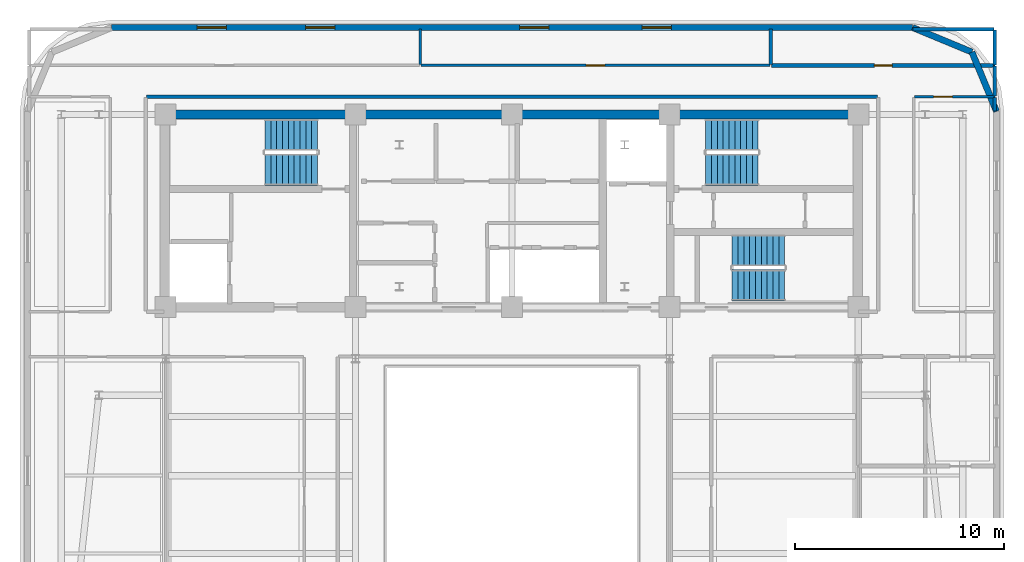
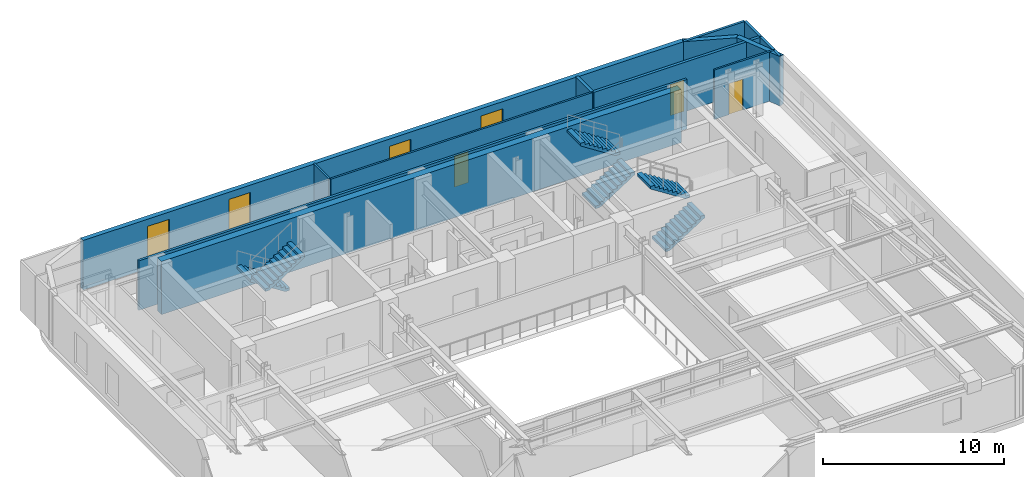
# One storey, part 9 of 13: 14 walls, 6 stair flights, 4 windows, 3 doors, 7 openings, 3 elements without a shape of their own.
"""IFC4 building model written with IfcOpenShell, lengths in metres."""

from ifc_helpers import new_model, si_unit, direction, frame, frame_2d, origin, place, context, subcontext, project, spatial, polyline, rectangle, outline, extrude, material, layer, layer_set, type_object, element, fill, aggregate, save


model = new_model("IFC4")

# Units and contexts
model_context = context("Model", 3, precision=1e-05, world=origin(), true_north=direction((0.0, 1.0)))
body_context = subcontext(model_context, "Body", "Model", "MODEL_VIEW")
ifc_project = project(units=[si_unit("LENGTHUNIT", "METRE"), si_unit("AREAUNIT", "SQUARE_METRE"), si_unit("VOLUMEUNIT", "CUBIC_METRE"), si_unit("PLANEANGLEUNIT", "RADIAN"), si_unit("MASSUNIT", "GRAM", prefix="KILO")], contexts=[model_context])

# Site, building, storey
site_placement = place(None, origin())
site = spatial("IfcSite", under=ifc_project, at=site_placement, CompositionType="ELEMENT")
building_placement = place(site_placement, origin())
building = spatial("IfcBuilding", under=site, at=building_placement, Name="Zarnavel Station Tower", CompositionType="ELEMENT")
storey_placement = place(building_placement, frame((0.0, 0.0, 232.800048828125)))
storey = spatial("IfcBuildingStorey", under=building, at=storey_placement, Name="L63", CompositionType="ELEMENT", Elevation=232.800048828125)

# Walls
ifc_material_1 = material(Name="Concrete C50/60", Category="concrete")
ifc_layer_1 = layer(ifc_material_1, 0.449951171875)
ifc_layer_set_1 = layer_set([ifc_layer_1], Name="CW_450")
wall_type_1 = type_object("IfcWallType", Name="CW_450", PredefinedType="SHEAR", material=ifc_layer_set_1)
wall_1_placement = place(storey_placement, frame((12.14990234375, 37.050048828125, 0.0), z_axis=(0.0, 0.0, 1.0), x_axis=(1.0, 0.0, 0.0)))
element("IfcWall", 1, at=wall_1_placement, inside=storey, type_object=wall_type_1, Name="L63 Rear Core Shear Wall N", PredefinedType="SHEAR", context=body_context, shape_type="SweptSolid", body=[
    extrude(rectangle(XDim=33.22998046875, YDim=0.449951171875, at=frame_2d((16.614990234375, 0.0))), origin(), (0.0, 0.0, 1.0), 3.599853515625),
])
ifc_material_2 = material(Name="Precast concrete C45/55 (Dark Basalt Finish)", Category="masonry")
ifc_layer_2 = layer(ifc_material_2, 0.300048828125)
ifc_layer_set_2 = layer_set([ifc_layer_2], Name="EW_BASALT_300")
wall_type_2 = type_object("IfcWallType", Name="EW_BASALT_300", PredefinedType="SOLIDWALL", material=ifc_layer_set_2)
for number, where, z_axis, x_axis, name in (
    (2, (50.842529296875, 40.04248046875, 0.0), (0.0, 0.0, 1.0), (0.382704529509, -0.923870793506, 0.0), "L63 Exterior Basalt Masonry Frame Wall 04"),
    (3, (48.0, 41.219970703125, 0.0), (0.0, 0.0, 1.0), (0.923870793506, -0.382704529509, 0.0), "L63 Exterior Basalt Masonry Frame Wall 05"),
):
    element("IfcWall", number, at=place(storey_placement, frame(where, z_axis=z_axis, x_axis=x_axis)), inside=storey, type_object=wall_type_2, Name=name, PredefinedType="SOLIDWALL", context=body_context, shape_type="SweptSolid", body=[
        extrude(rectangle(XDim=3.07666015625, YDim=0.300048828125, at=frame_2d((1.538330078125, 0.0))), origin(), (0.0, 0.0, 1.0), 3.33984375),
    ])

# Wall, openings, windows
wall_2_placement = place(storey_placement, frame((9.60009765625, 41.219970703125, 0.0), z_axis=(0.0, 0.0, 1.0), x_axis=(1.0, 0.0, 0.0)))
wall_2 = element("IfcWall", 4, at=wall_2_placement, inside=storey, type_object=wall_type_2, Name="L63 Exterior Basalt Masonry Frame Wall 06", PredefinedType="SOLIDWALL", context=body_context, shape_type="SweptSolid", body=[
    extrude(rectangle(XDim=38.39990234375, YDim=0.300048828125, at=frame_2d((19.199951171875, 0.0))), origin(), (0.0, 0.0, 1.0), 3.33984375),
])
opening_1_placement = place(wall_2_placement, frame((4.11328125, 0.0, 0.75)))
opening_1 = element("IfcOpeningElement", 5, at=opening_1_placement, cuts=wall_2, Name="Opening WN04", PredefinedType="OPENING", context=body_context, shape_type="SweptSolid", body=[
    extrude(rectangle(XDim=1.39990234375, YDim=2.10009765625, at=frame_2d((0.699951171875, 1.050048828125))), frame((0.0, 0.159912109375, 0.0), z_axis=(0.0, -1.0, 0.0), x_axis=(1.0, 0.0, 0.0)), (0.0, 0.0, 1.0), 0.320068359375),
])
opening_2_placement = place(wall_2_placement, frame((9.306640625, 0.0, 0.75)))
opening_2 = element("IfcOpeningElement", 6, at=opening_2_placement, cuts=wall_2, Name="Opening WN04", PredefinedType="OPENING", context=body_context, shape_type="SweptSolid", body=[
    extrude(rectangle(XDim=1.39990234375, YDim=2.10009765625, at=frame_2d((0.699951171875, 1.050048828125))), frame((0.0, 0.159912109375, 0.0), z_axis=(0.0, -1.0, 0.0), x_axis=(1.0, 0.0, 0.0)), (0.0, 0.0, 1.0), 0.320068359375),
])
opening_3_placement = place(wall_2_placement, frame((19.566650390625, 0.0, 0.75)))
opening_3 = element("IfcOpeningElement", 7, at=opening_3_placement, cuts=wall_2, Name="Opening WN04", PredefinedType="OPENING", context=body_context, shape_type="SweptSolid", body=[
    extrude(rectangle(XDim=1.39990234375, YDim=2.10009765625, at=frame_2d((0.699951171875, 1.050048828125))), frame((0.0, 0.159912109375, 0.0), z_axis=(0.0, -1.0, 0.0), x_axis=(1.0, 0.0, 0.0)), (0.0, 0.0, 1.0), 0.320068359375),
])
opening_4_placement = place(wall_2_placement, frame((25.433349609375, 0.0, 0.75)))
opening_4 = element("IfcOpeningElement", 8, at=opening_4_placement, cuts=wall_2, Name="Opening WN04", PredefinedType="OPENING", context=body_context, shape_type="SweptSolid", body=[
    extrude(rectangle(XDim=1.39990234375, YDim=2.10009765625, at=frame_2d((0.699951171875, 1.050048828125))), frame((0.0, 0.159912109375, 0.0), z_axis=(0.0, -1.0, 0.0), x_axis=(1.0, 0.0, 0.0)), (0.0, 0.0, 1.0), 0.320068359375),
])
ifc_material_3 = material(Name="Thermally Broken Black Aluminium and Low-E Dark Glass", Category="aluminium")
window_type = type_object("IfcWindowType", Name="WN_1400x2100", PartitioningType="DOUBLE_PANEL_VERTICAL", PredefinedType="WINDOW", material=ifc_material_3)
window_1_placement = place(opening_1_placement, origin())
window_1 = element("IfcWindow", 9, at=window_1_placement, inside=storey, type_object=window_type, Name="L63 Recessed Facade Window 01", OverallHeight=2.10009765625, OverallWidth=1.39990234375, PartitioningType="SINGLE_PANEL", PredefinedType="WINDOW", context=body_context, shape_type="SweptSolid", body=[
    extrude(rectangle(XDim=1.39990234375, YDim=2.10009765625, at=frame_2d((0.699951171875, 1.050048828125))), frame((0.0, 0.030029296875, 0.0), z_axis=(0.0, -1.0, 0.0), x_axis=(1.0, 0.0, 0.0)), (0.0, 0.0, 1.0), 0.06005859375),
])
fill(opening_1, window_1)
window_2_placement = place(opening_2_placement, origin())
window_2 = element("IfcWindow", 10, at=window_2_placement, inside=storey, type_object=window_type, Name="L63 Recessed Facade Window 02", OverallHeight=2.10009765625, OverallWidth=1.39990234375, PartitioningType="SINGLE_PANEL", PredefinedType="WINDOW", context=body_context, shape_type="SweptSolid", body=[
    extrude(rectangle(XDim=1.39990234375, YDim=2.10009765625, at=frame_2d((0.699951171875, 1.050048828125))), frame((0.0, 0.030029296875, 0.0), z_axis=(0.0, -1.0, 0.0), x_axis=(1.0, 0.0, 0.0)), (0.0, 0.0, 1.0), 0.06005859375),
])
fill(opening_2, window_2)
window_3_placement = place(opening_3_placement, origin())
window_3 = element("IfcWindow", 11, at=window_3_placement, inside=storey, type_object=window_type, Name="L63 Recessed Facade Window 03", OverallHeight=2.10009765625, OverallWidth=1.39990234375, PartitioningType="SINGLE_PANEL", PredefinedType="WINDOW", context=body_context, shape_type="SweptSolid", body=[
    extrude(rectangle(XDim=1.39990234375, YDim=2.10009765625, at=frame_2d((0.699951171875, 1.050048828125))), frame((0.0, 0.030029296875, 0.0), z_axis=(0.0, -1.0, 0.0), x_axis=(1.0, 0.0, 0.0)), (0.0, 0.0, 1.0), 0.06005859375),
])
fill(opening_3, window_3)
window_4_placement = place(opening_4_placement, origin())
window_4 = element("IfcWindow", 12, at=window_4_placement, inside=storey, type_object=window_type, Name="L63 Recessed Facade Window 04", OverallHeight=2.10009765625, OverallWidth=1.39990234375, PartitioningType="SINGLE_PANEL", PredefinedType="WINDOW", context=body_context, shape_type="SweptSolid", body=[
    extrude(rectangle(XDim=1.39990234375, YDim=2.10009765625, at=frame_2d((0.699951171875, 1.050048828125))), frame((0.0, 0.030029296875, 0.0), z_axis=(0.0, -1.0, 0.0), x_axis=(1.0, 0.0, 0.0)), (0.0, 0.0, 1.0), 0.06005859375),
])
fill(opening_4, window_4)

# Walls
ifc_material_4 = material(Name="Gypsum Twin-Stud Acoustic Fire Partition", Category="concrete")
ifc_layer_3 = layer(ifc_material_4, 0.159912109375)
ifc_layer_set_3 = layer_set([ifc_layer_3], Name="PT_DEMISE_160")
wall_type_3 = type_object("IfcWallType", Name="PT_DEMISE_160", PredefinedType="PARTITIONING", material=ifc_layer_set_3)
wall_3_placement = place(storey_placement, frame((11.280029296875, 37.89990234375, 0.0), z_axis=(0.0, 0.0, 1.0), x_axis=(1.0, 0.0, 0.0)))
element("IfcWall", 13, at=wall_3_placement, inside=storey, type_object=wall_type_3, Name="L63 Enclosure Wall COR-N", PredefinedType="PARTITIONING", context=body_context, shape_type="SweptSolid", body=[
    extrude(rectangle(XDim=35.0400390625, YDim=0.159912109375, at=frame_2d((17.52001953125, 0.0))), origin(), (0.0, 0.0, 1.0), 3.33984375),
])
wall_4_placement = place(storey_placement, frame((51.93994140625, 37.929931640625, 0.0), z_axis=(0.0, 0.0, 1.0), x_axis=(0.0, 1.0, 0.0)))
element("IfcWall", 14, at=wall_4_placement, inside=storey, type_object=wall_type_3, Name="L63 Enclosure Wall COR-N", PredefinedType="PARTITIONING", context=body_context, shape_type="SweptSolid", body=[
    extrude(rectangle(XDim=1.440185546875, YDim=0.159912109375, at=frame_2d((0.72021484375, 0.0))), origin(), (0.0, 0.0, 1.0), 3.33984375),
])
wall_5_placement = place(storey_placement, frame((51.93994140625, 37.22998046875, 0.0), z_axis=(0.0, 0.0, 1.0), x_axis=(0.0, 1.0, 0.0)))
element("IfcWall", 15, at=wall_5_placement, inside=storey, type_object=wall_type_3, Name="L63 Enclosure Wall FNE", PredefinedType="PARTITIONING", context=body_context, shape_type="SweptSolid", body=[
    extrude(rectangle(XDim=0.64013671875, YDim=0.159912109375, at=frame_2d((0.320068359375, 0.0))), origin(), (0.0, 0.0, 1.0), 3.33984375),
])
wall_6_placement = place(storey_placement, frame((48.030029296875, 41.139892578125, 0.0), z_axis=(0.0, 0.0, 1.0), x_axis=(1.0, 0.0, 0.0)))
element("IfcWall", 16, at=wall_6_placement, inside=storey, type_object=wall_type_3, Name="L63 Enclosure Wall NWC", PredefinedType="PARTITIONING", context=body_context, shape_type="SweptSolid", body=[
    extrude(rectangle(XDim=3.8798828125, YDim=0.159912109375, at=frame_2d((1.93994140625, 0.0))), origin(), (0.0, 0.0, 1.0), 3.33984375),
])
wall_7_placement = place(storey_placement, frame((51.93994140625, 39.429931640625, 0.0), z_axis=(0.0, 0.0, 1.0), x_axis=(0.0, 1.0, 0.0)))
element("IfcWall", 17, at=wall_7_placement, inside=storey, type_object=wall_type_3, Name="L63 Enclosure Wall NWC", PredefinedType="PARTITIONING", context=body_context, shape_type="SweptSolid", body=[
    extrude(rectangle(XDim=1.68017578125, YDim=0.159912109375, at=frame_2d((0.840087890625, 0.0))), origin(), (0.0, 0.0, 1.0), 3.33984375),
])

# Wall, opening, door
ifc_material_5 = material(Name="Gypsum Metal-Stud Interior Partition", Category="concrete")
ifc_layer_4 = layer(ifc_material_5, 0.1201171875)
ifc_layer_set_4 = layer_set([ifc_layer_4], Name="PT_ROOM_120")
wall_type_4 = type_object("IfcWallType", Name="PT_ROOM_120", PredefinedType="PARTITIONING", material=ifc_layer_set_4)
wall_8_placement = place(storey_placement, frame((48.090087890625, 37.89990234375, 0.0), z_axis=(0.0, 0.0, 1.0), x_axis=(1.0, 0.0, 0.0)))
wall_8 = element("IfcWall", 18, at=wall_8_placement, inside=storey, type_object=wall_type_4, Name="L63 Partition COR-N-FNE", PredefinedType="PARTITIONING", context=body_context, shape_type="SweptSolid", body=[
    extrude(rectangle(XDim=3.849853515625, YDim=0.1201171875, at=frame_2d((1.9248046875, 0.0))), origin(), (0.0, 0.0, 1.0), 3.33984375),
])
opening_5_placement = place(wall_8_placement, frame((0.918701171875, 0.0, 0.0)))
opening_5 = element("IfcOpeningElement", 19, at=opening_5_placement, cuts=wall_8, Name="Opening ID01", PredefinedType="OPENING", context=body_context, shape_type="SweptSolid", body=[
    extrude(rectangle(XDim=0.89990234375, YDim=2.10009765625, at=frame_2d((0.449951171875, 1.050048828125))), frame((0.0, 0.070068359375, 0.0), z_axis=(0.0, -1.0, 0.0), x_axis=(1.0, 0.0, 0.0)), (0.0, 0.0, 1.0), 0.14013671875),
])
ifc_material_6 = material(Name="Painted Galvanised Steel and Hardwood Leaf", Category="steel")
door_type_1 = type_object("IfcDoorType", Name="ID_ROOM_900", OperationType="NOTDEFINED", PredefinedType="DOOR", material=ifc_material_6)
door_1_placement = place(opening_5_placement, origin())
door_1 = element("IfcDoor", 20, at=door_1_placement, inside=storey, type_object=door_type_1, Name="L63 Door COR-N-FNE", OperationType="SINGLE_SWING_RIGHT", OverallHeight=2.10009765625, OverallWidth=0.89990234375, PredefinedType="DOOR", context=body_context, shape_type="SweptSolid", body=[
    extrude(rectangle(XDim=0.89990234375, YDim=2.10009765625, at=frame_2d((0.449951171875, 1.050048828125))), frame((0.0, 0.02490234375, 0.0), z_axis=(0.0, -1.0, 0.0), x_axis=(1.0, 0.0, 0.0)), (0.0, 0.0, 1.0), 0.050048828125),
])
fill(opening_5, door_1)

wall_9_placement = place(storey_placement, frame((24.43994140625, 39.39990234375, 0.0), z_axis=(0.0, 0.0, 1.0), x_axis=(1.0, 0.0, 0.0)))
wall_9 = element("IfcWall", 21, at=wall_9_placement, inside=storey, type_object=wall_type_4, Name="L63 Partition COR-N-NSPA", PredefinedType="PARTITIONING", context=body_context, shape_type="SweptSolid", body=[
    extrude(rectangle(XDim=16.719970703125, YDim=0.1201171875, at=frame_2d((8.35986328125, 0.0))), origin(), (0.0, 0.0, 1.0), 3.33984375),
])
opening_6_placement = place(wall_9_placement, frame((7.909912109375, 0.0, 0.0)))
opening_6 = element("IfcOpeningElement", 22, at=opening_6_placement, cuts=wall_9, Name="Opening ID01", PredefinedType="OPENING", context=body_context, shape_type="SweptSolid", body=[
    extrude(rectangle(XDim=0.89990234375, YDim=2.10009765625, at=frame_2d((0.449951171875, 1.050048828125))), frame((0.0, 0.070068359375, 0.0), z_axis=(0.0, -1.0, 0.0), x_axis=(1.0, 0.0, 0.0)), (0.0, 0.0, 1.0), 0.14013671875),
])
door_2_placement = place(opening_6_placement, origin())
door_2 = element("IfcDoor", 23, at=door_2_placement, inside=storey, type_object=door_type_1, Name="L63 Door COR-N-NSPA", OperationType="SINGLE_SWING_RIGHT", OverallHeight=2.10009765625, OverallWidth=0.89990234375, PredefinedType="DOOR", context=body_context, shape_type="SweptSolid", body=[
    extrude(rectangle(XDim=0.89990234375, YDim=2.10009765625, at=frame_2d((0.449951171875, 1.050048828125))), frame((0.0, 0.02490234375, 0.0), z_axis=(0.0, -1.0, 0.0), x_axis=(1.0, 0.0, 0.0)), (0.0, 0.0, 1.0), 0.050048828125),
])
fill(opening_6, door_2)

# Wall
wall_10_placement = place(storey_placement, frame((24.39990234375, 39.43994140625, 0.0), z_axis=(0.0, 0.0, 1.0), x_axis=(0.0, 1.0, 0.0)))
element("IfcWall", 24, at=wall_10_placement, inside=storey, type_object=wall_type_4, Name="L63 Partition NLIB-NSPA", PredefinedType="PARTITIONING", context=body_context, shape_type="SweptSolid", body=[
    extrude(rectangle(XDim=1.699951171875, YDim=0.1201171875, at=frame_2d((0.85009765625, 0.0))), origin(), (0.0, 0.0, 1.0), 3.33984375),
])

# Wall, opening, door
ifc_material_7 = material(Name="Moisture-Resistant Plumbing Chase Wall", Category="concrete")
ifc_layer_5 = layer(ifc_material_7, 0.179931640625)
ifc_layer_set_5 = layer_set([ifc_layer_5], Name="PW_PLUMB_180")
wall_type_5 = type_object("IfcWallType", Name="PW_PLUMB_180", PredefinedType="PLUMBINGWALL", material=ifc_layer_set_5)
wall_11_placement = place(storey_placement, frame((41.239990234375, 39.39990234375, 0.0), z_axis=(0.0, 0.0, 1.0), x_axis=(1.0, 0.0, 0.0)))
wall_11 = element("IfcWall", 25, at=wall_11_placement, inside=storey, type_object=wall_type_5, Name="L63 Partition COR-N-NWC", PredefinedType="PLUMBINGWALL", context=body_context, shape_type="SweptSolid", body=[
    extrude(rectangle(XDim=10.699951171875, YDim=0.179931640625, at=frame_2d((5.35009765625, 0.0))), origin(), (0.0, 0.0, 1.0), 3.33984375),
])
opening_7_placement = place(wall_11_placement, frame((4.925048828125, 0.0, 0.0)))
opening_7 = element("IfcOpeningElement", 26, at=opening_7_placement, cuts=wall_11, Name="Opening ID02", PredefinedType="OPENING", context=body_context, shape_type="SweptSolid", body=[
    extrude(rectangle(XDim=0.85009765625, YDim=2.10009765625, at=frame_2d((0.425048828125, 1.050048828125))), frame((0.0, 0.099853515625, 0.0), z_axis=(0.0, -1.0, 0.0), x_axis=(1.0, 0.0, 0.0)), (0.0, 0.0, 1.0), 0.199951171875),
])
ifc_material_8 = material(Name="Painted Galvanised Steel and Hardwood Leaf", Category="steel")
door_type_2 = type_object("IfcDoorType", Name="ID_BATH_850", OperationType="NOTDEFINED", PredefinedType="DOOR", material=ifc_material_8)
door_3_placement = place(opening_7_placement, origin())
door_3 = element("IfcDoor", 27, at=door_3_placement, inside=storey, type_object=door_type_2, Name="L63 Door COR-N-NWC", OperationType="SINGLE_SWING_LEFT", OverallHeight=2.10009765625, OverallWidth=0.85009765625, PredefinedType="DOOR", context=body_context, shape_type="SweptSolid", body=[
    extrude(rectangle(XDim=0.85009765625, YDim=2.10009765625, at=frame_2d((0.425048828125, 1.050048828125))), frame((0.0, 0.02490234375, 0.0), z_axis=(0.0, -1.0, 0.0), x_axis=(1.0, 0.0, 0.0)), (0.0, 0.0, 1.0), 0.050048828125),
])
fill(opening_7, door_3)

# Wall
wall_12_placement = place(storey_placement, frame((41.199951171875, 39.43994140625, 0.0), z_axis=(0.0, 0.0, 1.0), x_axis=(0.0, 1.0, 0.0)))
element("IfcWall", 28, at=wall_12_placement, inside=storey, type_object=wall_type_5, Name="L63 Partition NSPA-NWC", PredefinedType="PLUMBINGWALL", context=body_context, shape_type="SweptSolid", body=[
    extrude(rectangle(XDim=1.699951171875, YDim=0.179931640625, at=frame_2d((0.85009765625, 0.0))), origin(), (0.0, 0.0, 1.0), 3.33984375),
])

# Stair, stair flights
ifc_material_9 = material(Name="Concrete C45/55", Category="concrete")
stair_type = type_object("IfcStairType", Name="ST_CORE_150", PredefinedType="HALF_TURN_STAIR", material=ifc_material_9)
stair_1_placement = place(storey_placement, origin())
stair_1 = element("IfcStair", 29, at=stair_1_placement, inside=storey, type_object=stair_type, Name="L63 Core Exit Stair ST1", PredefinedType="HALF_TURN_STAIR")
ifc_material_10 = material(Name="Concrete C45/55", Category="concrete")
ifc_layer_6 = layer(ifc_material_10, 0.179931640625)
ifc_layer_set_6 = layer_set([ifc_layer_6], Name="ST_CORE_150_FLT")
stair_flight_type = type_object("IfcStairFlightType", Name="ST_CORE_150_FLT", PredefinedType="STRAIGHT", material=ifc_layer_set_6)
stair_flight_1_placement = place(storey_placement, frame((19.47998046875, 36.070068359375, 0.0), z_axis=(0.0, 0.0, 1.0), x_axis=(-1.0, 0.0, 0.0)))
stair_flight_1 = element("IfcStairFlight", 30, at=stair_flight_1_placement, type_object=stair_flight_type, Name="ST1 flight 1", NumberOfRisers=10, NumberOfTreads=9, PredefinedType="STRAIGHT", RiserHeight=0.18, TreadLength=0.28, context=body_context, shape_type="SweptSolid", body=[
    extrude(outline(polyline([(0.0, 0.0), (0.0, 0.179931640625), (0.280029296875, 0.179931640625), (0.280029296875, 0.360107421875), (0.56005859375, 0.360107421875), (0.56005859375, 0.5400390625), (0.840087890625, 0.5400390625), (0.840087890625, 0.719970703125), (1.1201171875, 0.719970703125), (1.1201171875, 0.89990234375), (1.39990234375, 0.89990234375), (1.39990234375, 1.080078125), (1.679931640625, 1.080078125), (1.679931640625, 1.260009765625), (1.9599609375, 1.260009765625), (1.9599609375, 1.43994140625), (2.239990234375, 1.43994140625), (2.239990234375, 1.6201171875), (2.52001953125, 1.6201171875), (2.52001953125, 1.800048828125), (2.52001953125, 1.44189453125), (0.277099609375, 0.0), (0.0, 0.0)])), frame((0.0, 0.75, 0.0), z_axis=(0.0, -1.0, 0.0), x_axis=(1.0, 0.0, 0.0)), (0.0, 0.0, 1.0), 1.5),
])
stair_flight_2_placement = place(storey_placement, frame((16.9599609375, 34.409912109375, 1.800048828125), z_axis=(0.0, 0.0, 1.0), x_axis=(1.0, 0.0, 0.0)))
stair_flight_2 = element("IfcStairFlight", 31, at=stair_flight_2_placement, type_object=stair_flight_type, Name="ST1 flight 2", NumberOfRisers=10, NumberOfTreads=9, PredefinedType="STRAIGHT", RiserHeight=0.18, TreadLength=0.28, context=body_context, shape_type="SweptSolid", body=[
    extrude(outline(polyline([(0.0, 0.0), (0.0, 0.179931640625), (0.280029296875, 0.179931640625), (0.280029296875, 0.360107421875), (0.56005859375, 0.360107421875), (0.56005859375, 0.5400390625), (0.840087890625, 0.5400390625), (0.840087890625, 0.719970703125), (1.1201171875, 0.719970703125), (1.1201171875, 0.89990234375), (1.39990234375, 0.89990234375), (1.39990234375, 1.080078125), (1.679931640625, 1.080078125), (1.679931640625, 1.260009765625), (1.9599609375, 1.260009765625), (1.9599609375, 1.43994140625), (2.239990234375, 1.43994140625), (2.239990234375, 1.6201171875), (2.52001953125, 1.6201171875), (2.52001953125, 1.800048828125), (2.52001953125, 1.44189453125), (0.277099609375, 0.0), (0.0, 0.0)])), frame((0.0, 0.75, 0.0), z_axis=(0.0, -1.0, 0.0), x_axis=(1.0, 0.0, 0.0)), (0.0, 0.0, 1.0), 1.5),
])
aggregate(stair_1, [stair_flight_1, stair_flight_2])

stair_2_placement = place(storey_placement, origin())
stair_2 = element("IfcStair", 32, at=stair_2_placement, inside=storey, type_object=stair_type, Name="L63 Core Exit Stair ST2", PredefinedType="HALF_TURN_STAIR")
stair_flight_3_placement = place(storey_placement, frame((38.080078125, 34.409912109375, 0.0), z_axis=(0.0, 0.0, 1.0), x_axis=(1.0, 0.0, 0.0)))
stair_flight_3 = element("IfcStairFlight", 33, at=stair_flight_3_placement, type_object=stair_flight_type, Name="ST2 flight 1", NumberOfRisers=10, NumberOfTreads=9, PredefinedType="STRAIGHT", RiserHeight=0.18, TreadLength=0.28, context=body_context, shape_type="SweptSolid", body=[
    extrude(outline(polyline([(0.0, 0.0), (0.0, 0.179931640625), (0.280029296875, 0.179931640625), (0.280029296875, 0.360107421875), (0.56005859375, 0.360107421875), (0.56005859375, 0.5400390625), (0.840087890625, 0.5400390625), (0.840087890625, 0.719970703125), (1.1201171875, 0.719970703125), (1.1201171875, 0.89990234375), (1.39990234375, 0.89990234375), (1.39990234375, 1.080078125), (1.679931640625, 1.080078125), (1.679931640625, 1.260009765625), (1.9599609375, 1.260009765625), (1.9599609375, 1.43994140625), (2.239990234375, 1.43994140625), (2.239990234375, 1.6201171875), (2.52001953125, 1.6201171875), (2.52001953125, 1.800048828125), (2.52001953125, 1.44189453125), (0.277099609375, 0.0), (0.0, 0.0)])), frame((0.0, 0.75, 0.0), z_axis=(0.0, -1.0, 0.0), x_axis=(1.0, 0.0, 0.0)), (0.0, 0.0, 1.0), 1.5),
])
stair_flight_4_placement = place(storey_placement, frame((40.60009765625, 36.070068359375, 1.800048828125), z_axis=(0.0, 0.0, 1.0), x_axis=(-1.0, 0.0, 0.0)))
stair_flight_4 = element("IfcStairFlight", 34, at=stair_flight_4_placement, type_object=stair_flight_type, Name="ST2 flight 2", NumberOfRisers=10, NumberOfTreads=9, PredefinedType="STRAIGHT", RiserHeight=0.18, TreadLength=0.28, context=body_context, shape_type="SweptSolid", body=[
    extrude(outline(polyline([(0.0, 0.0), (0.0, 0.179931640625), (0.280029296875, 0.179931640625), (0.280029296875, 0.360107421875), (0.56005859375, 0.360107421875), (0.56005859375, 0.5400390625), (0.840087890625, 0.5400390625), (0.840087890625, 0.719970703125), (1.1201171875, 0.719970703125), (1.1201171875, 0.89990234375), (1.39990234375, 0.89990234375), (1.39990234375, 1.080078125), (1.679931640625, 1.080078125), (1.679931640625, 1.260009765625), (1.9599609375, 1.260009765625), (1.9599609375, 1.43994140625), (2.239990234375, 1.43994140625), (2.239990234375, 1.6201171875), (2.52001953125, 1.6201171875), (2.52001953125, 1.800048828125), (2.52001953125, 1.44189453125), (0.277099609375, 0.0), (0.0, 0.0)])), frame((0.0, 0.75, 0.0), z_axis=(0.0, -1.0, 0.0), x_axis=(1.0, 0.0, 0.0)), (0.0, 0.0, 1.0), 1.5),
])
aggregate(stair_2, [stair_flight_3, stair_flight_4])

stair_3_placement = place(storey_placement, origin())
stair_3 = element("IfcStair", 35, at=stair_3_placement, inside=storey, type_object=stair_type, Name="L63 Core Exit Stair ST3", PredefinedType="HALF_TURN_STAIR")
stair_flight_5_placement = place(storey_placement, frame((39.35009765625, 28.8701171875, 0.0), z_axis=(0.0, 0.0, 1.0), x_axis=(1.0, 0.0, 0.0)))
stair_flight_5 = element("IfcStairFlight", 36, at=stair_flight_5_placement, type_object=stair_flight_type, Name="ST3 flight 1", NumberOfRisers=10, NumberOfTreads=9, PredefinedType="STRAIGHT", RiserHeight=0.18, TreadLength=0.28, context=body_context, shape_type="SweptSolid", body=[
    extrude(outline(polyline([(0.0, 0.0), (0.0, 0.179931640625), (0.280029296875, 0.179931640625), (0.280029296875, 0.360107421875), (0.56005859375, 0.360107421875), (0.56005859375, 0.5400390625), (0.840087890625, 0.5400390625), (0.840087890625, 0.719970703125), (1.1201171875, 0.719970703125), (1.1201171875, 0.89990234375), (1.39990234375, 0.89990234375), (1.39990234375, 1.080078125), (1.679931640625, 1.080078125), (1.679931640625, 1.260009765625), (1.9599609375, 1.260009765625), (1.9599609375, 1.43994140625), (2.239990234375, 1.43994140625), (2.239990234375, 1.6201171875), (2.52001953125, 1.6201171875), (2.52001953125, 1.800048828125), (2.52001953125, 1.44189453125), (0.277099609375, 0.0), (0.0, 0.0)])), frame((0.0, 0.75, 0.0), z_axis=(0.0, -1.0, 0.0), x_axis=(1.0, 0.0, 0.0)), (0.0, 0.0, 1.0), 1.5),
])
stair_flight_6_placement = place(storey_placement, frame((41.8701171875, 30.530029296875, 1.800048828125), z_axis=(0.0, 0.0, 1.0), x_axis=(-1.0, 0.0, 0.0)))
stair_flight_6 = element("IfcStairFlight", 37, at=stair_flight_6_placement, type_object=stair_flight_type, Name="ST3 flight 2", NumberOfRisers=10, NumberOfTreads=9, PredefinedType="STRAIGHT", RiserHeight=0.18, TreadLength=0.28, context=body_context, shape_type="SweptSolid", body=[
    extrude(outline(polyline([(0.0, 0.0), (0.0, 0.179931640625), (0.280029296875, 0.179931640625), (0.280029296875, 0.360107421875), (0.56005859375, 0.360107421875), (0.56005859375, 0.5400390625), (0.840087890625, 0.5400390625), (0.840087890625, 0.719970703125), (1.1201171875, 0.719970703125), (1.1201171875, 0.89990234375), (1.39990234375, 0.89990234375), (1.39990234375, 1.080078125), (1.679931640625, 1.080078125), (1.679931640625, 1.260009765625), (1.9599609375, 1.260009765625), (1.9599609375, 1.43994140625), (2.239990234375, 1.43994140625), (2.239990234375, 1.6201171875), (2.52001953125, 1.6201171875), (2.52001953125, 1.800048828125), (2.52001953125, 1.44189453125), (0.277099609375, 0.0), (0.0, 0.0)])), frame((0.0, 0.75, 0.0), z_axis=(0.0, -1.0, 0.0), x_axis=(1.0, 0.0, 0.0)), (0.0, 0.0, 1.0), 1.5),
])
aggregate(stair_3, [stair_flight_5, stair_flight_6])

save(model, "model.ifc")
